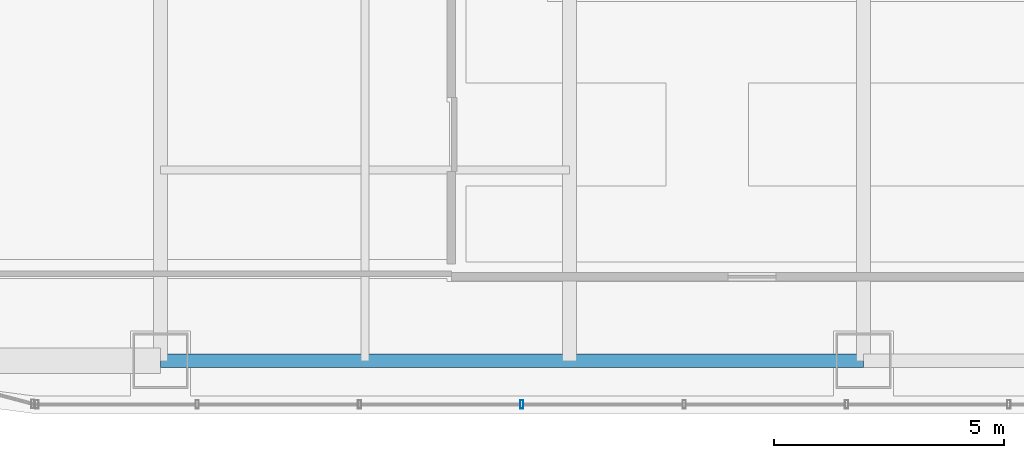
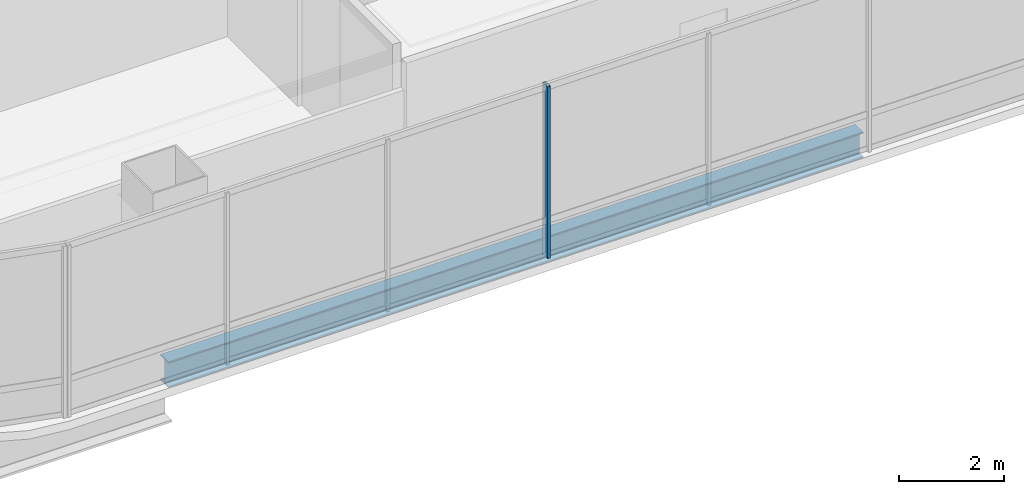
# One storey, part 3 of 41: 1 beam, 1 member, 1 element without a shape of its own.
"""IFC4 building model written with IfcOpenShell, lengths in metres."""

from ifc_helpers import new_model, si_unit, direction, frame, origin, origin_2d, place, context, subcontext, project, spatial, hollow_rectangle, i_section, extrude, material, material_profile, profile_set, type_object, element, aggregate, save


model = new_model("IFC4")

# Units and contexts
model_context = context("Model", 3, precision=1e-05, world=origin(), true_north=direction((0.0, 1.0)))
body_context = subcontext(model_context, "Body", "Model", "MODEL_VIEW")
ifc_project = project(units=[si_unit("LENGTHUNIT", "METRE"), si_unit("AREAUNIT", "SQUARE_METRE"), si_unit("VOLUMEUNIT", "CUBIC_METRE"), si_unit("PLANEANGLEUNIT", "RADIAN"), si_unit("MASSUNIT", "GRAM", prefix="KILO")], contexts=[model_context])

# Site, building, storey
site_placement = place(None, origin())
site = spatial("IfcSite", under=ifc_project, at=site_placement, CompositionType="ELEMENT")
building_placement = place(site_placement, origin())
building = spatial("IfcBuilding", under=site, at=building_placement, Name="Punatoya Terracotta Tower", CompositionType="ELEMENT")
storey_placement = place(building_placement, frame((0.0, 0.0, 288.0)))
storey = spatial("IfcBuildingStorey", under=building, at=storey_placement, Name="L68", CompositionType="ELEMENT", Elevation=288.0)

# Beam
ifc_material_1 = material(Name="Steel S355", Category="steel")
ifc_material_profile_1 = material_profile(ifc_material_1, i_section(OverallWidth=0.300048828125, OverallDepth=0.60009765625, WebThickness=0.015380859375, FlangeThickness=0.030029296875, FilletRadius=0.01806640625, at=origin_2d()))
ifc_profile_set_1 = profile_set([ifc_material_profile_1], Name="Steel S355")
beam_type = type_object("IfcBeamType", Name="BM-PRI-600", PredefinedType="BEAM", material=ifc_profile_set_1)
beam_placement = place(storey_placement, frame((-19.10009765625, -17.5, -0.5), z_axis=(1.0, 0.0, 0.0), x_axis=(0.0, 1.0, 0.0)))
element("IfcBeam", 1, at=beam_placement, inside=storey, type_object=beam_type, Name="BM-L68-RG-S1", PredefinedType="BEAM", context=body_context, shape_type="SweptSolid", body=[
    extrude(i_section(OverallWidth=0.300048828125, OverallDepth=0.60009765625, WebThickness=0.015380859375, FlangeThickness=0.030029296875, FilletRadius=0.01806640625, at=origin_2d()), origin(), (0.0, 0.0, 1.0), 15.300048828125),
])

# Curtain wall, member
ifc_material_2 = material(Name="Aluminium 6063-T6 + Double Low-E Glass", Category="aluminium")
curtain_wall_type = type_object("IfcCurtainWallType", Name="CW-M3", PredefinedType="NOTDEFINED", material=ifc_material_2)
curtain_wall_placement = place(storey_placement, origin())
curtain_wall = element("IfcCurtainWall", 2, at=curtain_wall_placement, inside=storey, type_object=curtain_wall_type, Name="L68 Curtain Wall CW-L68-S01-1", PredefinedType="NOTDEFINED")
ifc_material_3 = material(Name="Aluminium 6063-T6", Category="aluminium")
ifc_material_profile_2 = material_profile(ifc_material_3, hollow_rectangle(XDim=0.070068359375, YDim=0.179931640625, WallThickness=0.00390625, at=origin_2d()))
ifc_profile_set_2 = profile_set([ifc_material_profile_2], Name="Aluminium 6063-T6")
member_type = type_object("IfcMemberType", Name="CW-MUL-M3", PredefinedType="MULLION", material=ifc_profile_set_2)
member_placement = place(storey_placement, frame((-11.235107421875, -18.449951171875, 0.0), z_axis=(0.0, 0.0, 1.0), x_axis=(1.0, 0.0, 0.0)))
member = element("IfcMember", 3, at=member_placement, type_object=member_type, Name="CW-L68-S01-1 Mullion 03", PredefinedType="MULLION", context=body_context, shape_type="SweptSolid", body=[
    extrude(hollow_rectangle(XDim=0.070068359375, YDim=0.179931640625, WallThickness=0.00390625, at=origin_2d()), origin(), (0.0, 0.0, 1.0), 4.0),
])
aggregate(curtain_wall, [member])

save(model, "model.ifc")
